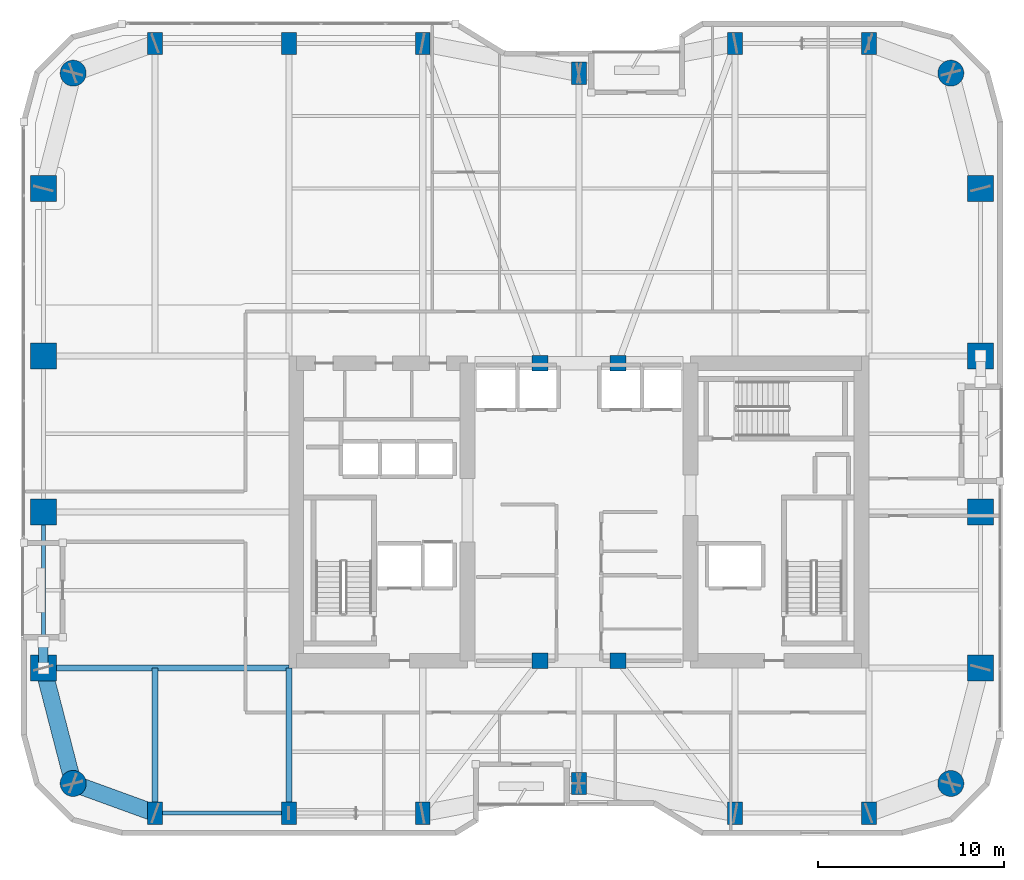
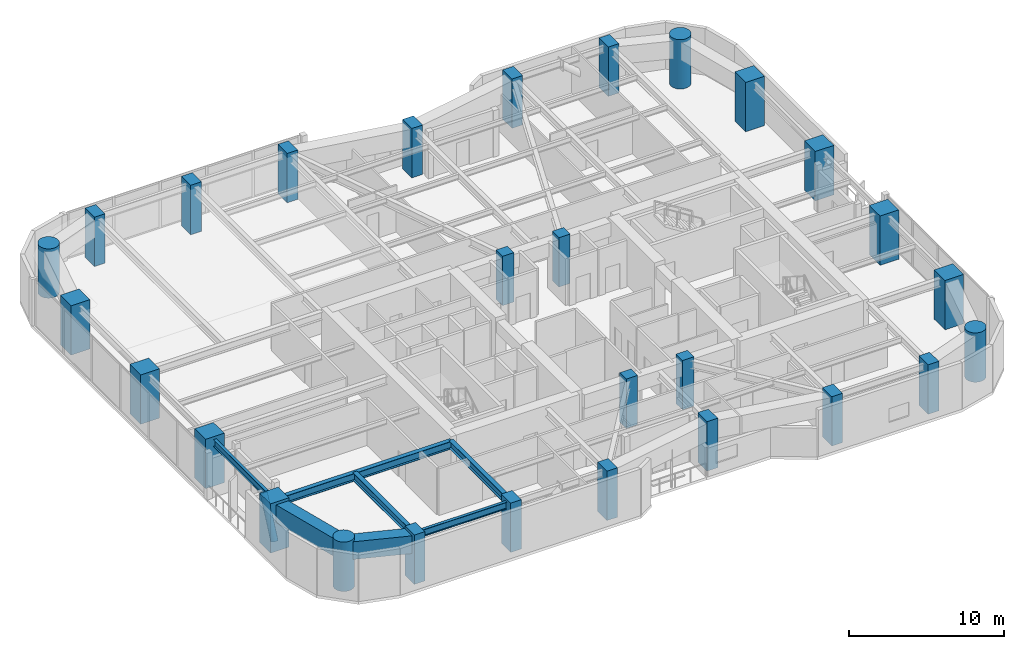
# One storey, part 1 of 31: 28 columns, 7 beams, 1 member.
"""IFC4 building model written with IfcOpenShell, lengths in metres."""

from ifc_helpers import new_model, si_unit, direction, frame, origin, origin_2d, place, context, subcontext, project, spatial, rectangle, hollow_rectangle, circle, hollow_circle, i_section, extrude, material, material_profile, profile_set, type_object, element, save


model = new_model("IFC4")

# Units and contexts
model_context = context("Model", 3, precision=1e-05, world=origin(), true_north=direction((0.0, 1.0)))
body_context = subcontext(model_context, "Body", "Model", "MODEL_VIEW")
ifc_project = project(units=[si_unit("LENGTHUNIT", "METRE"), si_unit("AREAUNIT", "SQUARE_METRE"), si_unit("VOLUMEUNIT", "CUBIC_METRE"), si_unit("PLANEANGLEUNIT", "RADIAN"), si_unit("MASSUNIT", "GRAM", prefix="KILO")], contexts=[model_context])

# Site, building, storey
site_placement = place(None, origin())
site = spatial("IfcSite", under=ifc_project, at=site_placement, CompositionType="ELEMENT")
building_placement = place(site_placement, origin())
building = spatial("IfcBuilding", under=site, at=building_placement, Name="Kiyonajd Concourse Tower", CompositionType="ELEMENT")
storey_placement = place(building_placement, frame((0.0, 0.0, 158.39990234375)))
storey = spatial("IfcBuildingStorey", under=building, at=storey_placement, Name="L40", CompositionType="ELEMENT", Elevation=158.39990234375)

# Columns
ifc_material_1 = material(Name="Concrete C70/85", Category="concrete")
ifc_material_profile_1 = material_profile(ifc_material_1, rectangle(XDim=0.800048828125, YDim=1.199951171875, at=origin_2d()), Name="RC-1200x800")
ifc_profile_set_1 = profile_set([ifc_material_profile_1], Name="Concrete C70/85")
column_type_1 = type_object("IfcColumnType", Name="CL-BLADE-1200", PredefinedType="COLUMN", material=ifc_profile_set_1)
for number, where, z_axis, x_axis, name in (
    (1, (25.199951171875, 19.800048828125, 0.0), (0.0, 0.0, 1.0), (1.0, 0.0, 0.0), "L40 Perimeter Bundled Tube Column"),
    (2, (25.199951171875, 61.199951171875, 0.0), (0.0, 0.0, 1.0), (1.0, 0.0, 0.0), "L40 Perimeter Bundled Tube Column"),
    (3, (32.39990234375, 19.800048828125, 0.0), (0.0, 0.0, 1.0), (1.0, 0.0, 0.0), "L40 Perimeter Bundled Tube Column"),
    (4, (32.39990234375, 61.199951171875, 0.0), (0.0, 0.0, 1.0), (1.0, 0.0, 0.0), "L40 Perimeter Bundled Tube Column"),
    (5, (39.60009765625, 19.800048828125, 0.0), (0.0, 0.0, 1.0), (1.0, 0.0, 0.0), "L40 Perimeter Bundled Tube Column"),
    (6, (39.60009765625, 61.199951171875, 0.0), (0.0, 0.0, 1.0), (1.0, 0.0, 0.0), "L40 Perimeter Bundled Tube Column"),
    (7, (48.0, 21.39990234375, 0.0), (0.0, 0.0, 1.0), (1.0, 0.0, 0.0), "L40 Perimeter Bundled Tube Column"),
    (8, (48.0, 59.60009765625, 0.0), (0.0, 0.0, 1.0), (1.0, 0.0, 0.0), "L40 Perimeter Bundled Tube Column"),
    (9, (56.39990234375, 19.800048828125, 0.0), (0.0, 0.0, 1.0), (1.0, 0.0, 0.0), "L40 Perimeter Bundled Tube Column"),
    (10, (56.39990234375, 61.199951171875, 0.0), (0.0, 0.0, 1.0), (1.0, 0.0, 0.0), "L40 Perimeter Bundled Tube Column"),
    (11, (63.60009765625, 19.800048828125, 0.0), (0.0, 0.0, 1.0), (1.0, 0.0, 0.0), "L40 Perimeter Bundled Tube Column"),
    (12, (63.60009765625, 61.199951171875, 0.0), (0.0, 0.0, 1.0), (1.0, 0.0, 0.0), "L40 Perimeter Bundled Tube Column"),
):
    element("IfcColumn", number, at=place(storey_placement, frame(where, z_axis=z_axis, x_axis=x_axis)), inside=storey, type_object=column_type_1, Name=name, PredefinedType="COLUMN", context=body_context, shape_type="SweptSolid", body=[
        extrude(rectangle(XDim=0.800048828125, YDim=1.199951171875, at=origin_2d()), origin(), (0.0, 0.0, 1.0), 3.900146484375),
    ])
ifc_material_2 = material(Name="Concrete C80/95", Category="concrete")
ifc_material_profile_2 = material_profile(ifc_material_2, circle(Radius=0.699951171875, at=origin_2d()), Name="RCC-D1400")
ifc_profile_set_2 = profile_set([ifc_material_profile_2], Name="Concrete C80/95")
column_type_2 = type_object("IfcColumnType", Name="CL-RND-1400", PredefinedType="COLUMN", material=ifc_profile_set_2)
for number, where, z_axis, x_axis, name in (
    (13, (20.800048828125, 21.39990234375, 0.0), (0.0, 0.0, 1.0), (1.0, 0.0, 0.0), "L40 Bundled Tube Corner Column South West"),
    (14, (68.0, 21.39990234375, 0.0), (0.0, 0.0, 1.0), (1.0, 0.0, 0.0), "L40 Bundled Tube Corner Column South East"),
    (15, (68.0, 59.60009765625, 0.0), (0.0, 0.0, 1.0), (1.0, 0.0, 0.0), "L40 Bundled Tube Corner Column North East"),
    (16, (20.800048828125, 59.60009765625, 0.0), (0.0, 0.0, 1.0), (1.0, 0.0, 0.0), "L40 Bundled Tube Corner Column North West"),
):
    element("IfcColumn", number, at=place(storey_placement, frame(where, z_axis=z_axis, x_axis=x_axis)), inside=storey, type_object=column_type_2, Name=name, PredefinedType="COLUMN", context=body_context, shape_type="SweptSolid", body=[
        extrude(circle(Radius=0.699951171875, at=origin_2d()), origin(), (0.0, 0.0, 1.0), 3.900146484375),
    ])
ifc_material_profile_3 = material_profile(ifc_material_1, rectangle(XDim=1.39990234375, YDim=1.39990234375, at=origin_2d()), Name="RC-1400x1400")
ifc_profile_set_3 = profile_set([ifc_material_profile_3], Name="Concrete C70/85")
column_type_3 = type_object("IfcColumnType", Name="CL-TUBE-1400", PredefinedType="COLUMN", material=ifc_profile_set_3)
for number, where, z_axis, x_axis, name in (
    (17, (19.199951171875, 27.60009765625, 0.0), (0.0, 0.0, 1.0), (1.0, 0.0, 0.0), "L40 Perimeter Bundled Tube Column"),
    (18, (69.60009765625, 27.60009765625, 0.0), (0.0, 0.0, 1.0), (1.0, 0.0, 0.0), "L40 Perimeter Bundled Tube Column"),
    (19, (19.199951171875, 36.0, 0.0), (0.0, 0.0, 1.0), (1.0, 0.0, 0.0), "L40 Perimeter Bundled Tube Column"),
    (20, (69.60009765625, 36.0, 0.0), (0.0, 0.0, 1.0), (1.0, 0.0, 0.0), "L40 Perimeter Bundled Tube Column"),
    (21, (19.199951171875, 44.39990234375, 0.0), (0.0, 0.0, 1.0), (1.0, 0.0, 0.0), "L40 Perimeter Bundled Tube Column"),
    (22, (69.60009765625, 44.39990234375, 0.0), (0.0, 0.0, 1.0), (1.0, 0.0, 0.0), "L40 Perimeter Bundled Tube Column"),
    (23, (19.199951171875, 53.39990234375, 0.0), (0.0, 0.0, 1.0), (1.0, 0.0, 0.0), "L40 Perimeter Bundled Tube Column"),
    (24, (69.60009765625, 53.39990234375, 0.0), (0.0, 0.0, 1.0), (1.0, 0.0, 0.0), "L40 Perimeter Bundled Tube Column"),
):
    element("IfcColumn", number, at=place(storey_placement, frame(where, z_axis=z_axis, x_axis=x_axis)), inside=storey, type_object=column_type_3, Name=name, PredefinedType="COLUMN", context=body_context, shape_type="SweptSolid", body=[
        extrude(rectangle(XDim=1.39990234375, YDim=1.39990234375, at=origin_2d()), origin(), (0.0, 0.0, 1.0), 3.900146484375),
    ])
ifc_material_3 = material(Name="Concrete C60/75", Category="concrete")
ifc_material_profile_4 = material_profile(ifc_material_3, rectangle(XDim=0.85009765625, YDim=0.85009765625, at=origin_2d()), Name="RC-850x850")
ifc_profile_set_4 = profile_set([ifc_material_profile_4], Name="Concrete C60/75")
column_type_4 = type_object("IfcColumnType", Name="CL-TUBE-850", PredefinedType="COLUMN", material=ifc_profile_set_4)
for number, where, z_axis, x_axis, name in (
    (25, (45.89990234375, 28.0, 0.0), (0.0, 0.0, 1.0), (1.0, 0.0, 0.0), "L40 Core Tie Column South West"),
    (26, (50.10009765625, 28.0, 0.0), (0.0, 0.0, 1.0), (1.0, 0.0, 0.0), "L40 Core Tie Column South East"),
    (27, (45.89990234375, 44.0, 0.0), (0.0, 0.0, 1.0), (1.0, 0.0, 0.0), "L40 Core Tie Column North West"),
    (28, (50.10009765625, 44.0, 0.0), (0.0, 0.0, 1.0), (1.0, 0.0, 0.0), "L40 Core Tie Column North East"),
):
    element("IfcColumn", number, at=place(storey_placement, frame(where, z_axis=z_axis, x_axis=x_axis)), inside=storey, type_object=column_type_4, Name=name, PredefinedType="COLUMN", context=body_context, shape_type="SweptSolid", body=[
        extrude(rectangle(XDim=0.85009765625, YDim=0.85009765625, at=origin_2d()), origin(), (0.0, 0.0, 1.0), 3.900146484375),
    ])

# Beams
ifc_material_4 = material(Name="Steel ASTM A992 Grade 50", Category="steel")
ifc_material_profile_5 = material_profile(ifc_material_4, i_section(OverallWidth=0.214111328125, OverallDepth=0.549072265625, WebThickness=0.0146484375, FlangeThickness=0.023681640625, at=origin_2d()), Name="W530X138")
ifc_profile_set_5 = profile_set([ifc_material_profile_5], Name="Steel ASTM A992 Grade 50")
beam_type_1 = type_object("IfcBeamType", Name="BM-SPAN-530A", PredefinedType="SPANDREL", material=ifc_profile_set_5)
beam_1_placement = place(storey_placement, frame((25.199951171875, 19.800048828125, 3.405517578125), z_axis=(1.0, 0.0, 0.0), x_axis=(0.0, 1.0, 0.0)))
element("IfcBeam", 29, at=beam_1_placement, inside=storey, type_object=beam_type_1, Name="L40 Perimeter Bundled Tube Spandrel", PredefinedType="SPANDREL", context=body_context, shape_type="SweptSolid", body=[
    extrude(i_section(OverallWidth=0.214111328125, OverallDepth=0.549072265625, WebThickness=0.0146484375, FlangeThickness=0.023681640625, at=origin_2d()), origin(), (0.0, 0.0, 1.0), 7.199951171875),
])
beam_2_placement = place(storey_placement, frame((19.199951171875, 36.0, 3.405517578125), z_axis=(0.0, -1.0, 0.0), x_axis=(1.0, 0.0, 0.0)))
element("IfcBeam", 30, at=beam_2_placement, inside=storey, type_object=beam_type_1, Name="L40 Perimeter Bundled Tube Spandrel", PredefinedType="SPANDREL", context=body_context, shape_type="SweptSolid", body=[
    extrude(i_section(OverallWidth=0.214111328125, OverallDepth=0.549072265625, WebThickness=0.0146484375, FlangeThickness=0.023681640625, at=origin_2d()), origin(), (0.0, 0.0, 1.0), 8.39990234375),
])
ifc_material_profile_6 = material_profile(ifc_material_4, i_section(OverallWidth=0.326904296875, OverallDepth=0.6220703125, WebThickness=0.015380859375, FlangeThickness=0.0244140625, at=origin_2d()), Name="W610X195")
ifc_profile_set_6 = profile_set([ifc_material_profile_6], Name="Steel ASTM A992 Grade 50")
beam_type_2 = type_object("IfcBeamType", Name="BM-TWR-610A", PredefinedType="BEAM", material=ifc_profile_set_6)
for number, where, z_axis, x_axis, name in (
    (31, (25.199951171875, 19.800048828125, 3.369140625), (0.0, 1.0, 0.0), (-1.0, 0.0, 0.0), "L40 South Lease Girder"),
    (32, (32.39990234375, 19.800048828125, 3.369140625), (0.0, 1.0, 0.0), (-1.0, 0.0, 0.0), "L40 South Lease Girder"),
):
    element("IfcBeam", number, at=place(storey_placement, frame(where, z_axis=z_axis, x_axis=x_axis)), inside=storey, type_object=beam_type_2, Name=name, PredefinedType="BEAM", context=body_context, shape_type="SweptSolid", body=[
        extrude(i_section(OverallWidth=0.326904296875, OverallDepth=0.6220703125, WebThickness=0.015380859375, FlangeThickness=0.0244140625, at=origin_2d()), origin(), (0.0, 0.0, 1.0), 7.800048828125),
    ])
beam_3_placement = place(storey_placement, frame((19.199951171875, 27.60009765625, 3.369140625), z_axis=(1.0, 0.0, 0.0), x_axis=(0.0, 1.0, 0.0)))
element("IfcBeam", 33, at=beam_3_placement, inside=storey, type_object=beam_type_2, Name="L40 West Lease Girder", PredefinedType="BEAM", context=body_context, shape_type="SweptSolid", body=[
    extrude(i_section(OverallWidth=0.326904296875, OverallDepth=0.6220703125, WebThickness=0.015380859375, FlangeThickness=0.0244140625, at=origin_2d()), origin(), (0.0, 0.0, 1.0), 13.199951171875),
])
ifc_material_5 = material(Name="Steel ASTM A572 Grade 50", Category="steel")
ifc_material_profile_7 = material_profile(ifc_material_5, hollow_rectangle(XDim=0.89990234375, YDim=1.39990234375, WallThickness=0.070068359375, at=origin_2d()), Name="BOX-1400x900x70")
ifc_profile_set_7 = profile_set([ifc_material_profile_7], Name="Steel ASTM A572 Grade 50")
beam_type_3 = type_object("IfcBeamType", Name="BM-XFER-1400", PredefinedType="BEAM", material=ifc_profile_set_7)
beam_4_placement = place(storey_placement, frame((19.199951171875, 27.60009765625, 2.97998046875), z_axis=(0.249884937687, -0.968275538221, 0.0), x_axis=(0.968275538221, 0.249884937687, 0.0)))
element("IfcBeam", 34, at=beam_4_placement, inside=storey, type_object=beam_type_3, Name="L40 Perimeter Bundled Tube Spandrel", PredefinedType="BEAM", context=body_context, shape_type="SweptSolid", body=[
    extrude(hollow_rectangle(XDim=0.89990234375, YDim=1.39990234375, WallThickness=0.070068359375, at=origin_2d()), origin(), (0.0, 0.0, 1.0), 6.4033203125),
])
beam_5_placement = place(storey_placement, frame((20.800048828125, 21.39990234375, 2.97998046875), z_axis=(0.939801036019, -0.341722127901, 0.0), x_axis=(0.341722127901, 0.939801036019, 0.0)))
element("IfcBeam", 35, at=beam_5_placement, inside=storey, type_object=beam_type_3, Name="L40 Perimeter Bundled Tube Spandrel", PredefinedType="BEAM", context=body_context, shape_type="SweptSolid", body=[
    extrude(hollow_rectangle(XDim=0.89990234375, YDim=1.39990234375, WallThickness=0.070068359375, at=origin_2d()), origin(), (0.0, 0.0, 1.0), 4.681640625),
])

# Member
ifc_material_6 = material(Name="Steel ASTM A500 Grade C", Category="steel")
ifc_material_profile_8 = material_profile(ifc_material_6, hollow_circle(Radius=0.25390625, WallThickness=0.02197265625, at=origin_2d()), Name="CHS-508x22")
ifc_profile_set_8 = profile_set([ifc_material_profile_8], Name="Steel ASTM A500 Grade C")
member_type = type_object("IfcMemberType", Name="MB-PB-MID", PredefinedType="BRACE", material=ifc_profile_set_8)
member_placement = place(storey_placement, frame((19.199951171875, 27.60009765625, 0.300048828125), z_axis=(0.0, 0.419410666774, 0.907796614114), x_axis=(-1.0, 0.0, 0.0)))
element("IfcMember", 36, at=member_placement, inside=storey, type_object=member_type, Name="L40 Upper Zone Hollow Tube Brace PBW", PredefinedType="BRACE", context=body_context, shape_type="SweptSolid", body=[
    extrude(hollow_circle(Radius=0.25390625, WallThickness=0.02197265625, at=origin_2d()), origin(), (0.0, 0.0, 1.0), 3.337890625),
])

save(model, "model.ifc")
